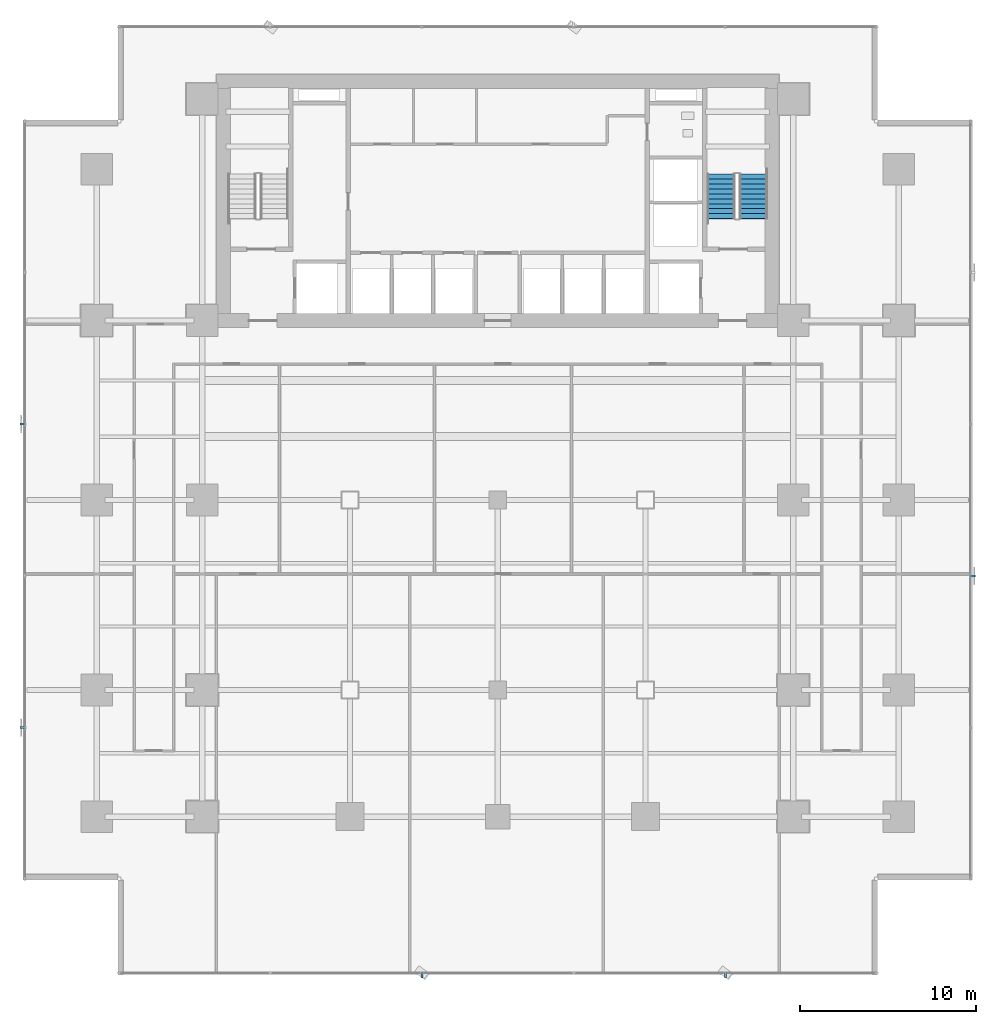
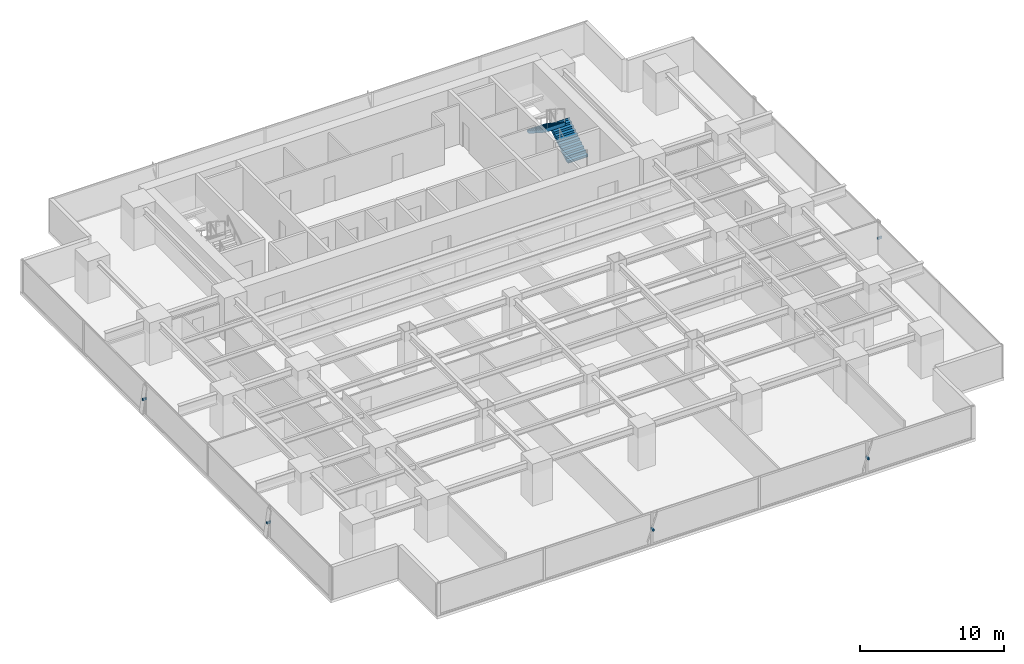
# One storey, part 27 of 33: 5 discrete accessories, 2 stair flights, 1 element without a shape of its own.
"""IFC4 building model written with IfcOpenShell, lengths in metres."""

from ifc_helpers import new_model, si_unit, direction, frame, origin, origin_2d, place, context, subcontext, project, spatial, polyline, rectangle, outline, extrude, source, transform, mapped, material, material_profile, profile_set, type_object, element, aggregate, save


model = new_model("IFC4")

# Units and contexts
model_context = context("Model", 3, precision=1e-05, world=origin(), true_north=direction((0.0, 1.0)))
body_context = subcontext(model_context, "Body", "Model", "MODEL_VIEW")
ifc_project = project(units=[si_unit("LENGTHUNIT", "METRE"), si_unit("AREAUNIT", "SQUARE_METRE"), si_unit("VOLUMEUNIT", "CUBIC_METRE"), si_unit("PLANEANGLEUNIT", "RADIAN"), si_unit("MASSUNIT", "GRAM", prefix="KILO")], contexts=[model_context])

# Site, building, storey
site_placement = place(None, origin())
site = spatial("IfcSite", under=ifc_project, at=site_placement, CompositionType="ELEMENT")
building_placement = place(site_placement, origin())
building = spatial("IfcBuilding", under=site, at=building_placement, Name="Sumidabori Civic Tower", CompositionType="ELEMENT")
storey_placement = place(building_placement, frame((0.0, 0.0, 27.199951171875)))
storey = spatial("IfcBuildingStorey", under=building, at=storey_placement, Name="L06", CompositionType="ELEMENT", Elevation=27.199951171875)

# Stair, stair flights
ifc_material_1 = material(Name="Concrete C40/50", Category="concrete")
stair_type = type_object("IfcStairType", Name="ST-CORE-1600", PredefinedType="HALF_TURN_STAIR", material=ifc_material_1)
stair_placement = place(storey_placement, origin())
stair = element("IfcStair", 1, at=stair_placement, inside=storey, type_object=stair_type, Name="L06 ST-2", PredefinedType="HALF_TURN_STAIR")
stair_flight_type = type_object("IfcStairFlightType", Name="SF-CORE-1600", PredefinedType="STRAIGHT", material=ifc_material_1)
shared_shape_1 = source(origin(), body_context, "Body", "SweptSolid", [
    extrude(outline(polyline([(-0.02490234375, 0.0), (-0.02490234375, 0.0400390625), (0.0, 0.0400390625), (0.0, 0.179931640625), (0.280029296875, 0.179931640625), (0.280029296875, 0.360107421875), (0.56005859375, 0.360107421875), (0.56005859375, 0.5400390625), (0.840087890625, 0.5400390625), (0.840087890625, 0.719970703125), (1.1201171875, 0.719970703125), (1.1201171875, 0.89990234375), (1.39990234375, 0.89990234375), (1.39990234375, 1.080078125), (1.679931640625, 1.080078125), (1.679931640625, 1.260009765625), (1.9599609375, 1.260009765625), (1.9599609375, 1.43994140625), (2.239990234375, 1.43994140625), (2.239990234375, 1.6201171875), (2.52001953125, 1.6201171875), (2.52001953125, 1.800048828125), (2.544921875, 1.800048828125), (2.544921875, 1.650146484375), (2.52001953125, 1.44189453125), (0.277099609375, 0.0), (-0.02490234375, 0.0)])), frame((0.0, 0.800048828125, 0.0), z_axis=(0.0, -1.0, 0.0), x_axis=(1.0, 0.0, 0.0)), (0.0, 0.0, 1.0), 1.60009765625),
])
stair_flight_1_placement = place(storey_placement, frame((14.5400390625, 16.0, 0.0), z_axis=(0.0, 0.0, 1.0), x_axis=(0.0, 1.0, 0.0)))
stair_flight_1 = element("IfcStairFlight", 2, at=stair_flight_1_placement, type_object=stair_flight_type, Name="ST-2 flight 1", NumberOfRisers=10, NumberOfTreads=9, PredefinedType="STRAIGHT", RiserHeight=0.18, TreadLength=0.28, context=body_context, shape_type="MappedRepresentation", body=[
    mapped(shared_shape_1, transform((0.0, 0.0, 0.0), x_axis=(1.0, 0.0, 0.0), y_axis=(0.0, 1.0, 0.0), z_axis=(0.0, 0.0, 1.0), scale=1.0)),
])
stair_flight_2_placement = place(storey_placement, frame((12.699951171875, 18.52001953125, 1.800048828125), z_axis=(0.0, 0.0, 1.0), x_axis=(0.0, -1.0, 0.0)))
stair_flight_2 = element("IfcStairFlight", 3, at=stair_flight_2_placement, type_object=stair_flight_type, Name="ST-2 flight 2", NumberOfRisers=10, NumberOfTreads=9, PredefinedType="STRAIGHT", RiserHeight=0.18, TreadLength=0.28, context=body_context, shape_type="MappedRepresentation", body=[
    mapped(shared_shape_1, transform((0.0, 0.0, 0.0), x_axis=(1.0, 0.0, 0.0), y_axis=(0.0, 1.0, 0.0), z_axis=(0.0, 0.0, 1.0), scale=1.0)),
])
aggregate(stair, [stair_flight_1, stair_flight_2])

# Discrete accessories
ifc_material_2 = material(Name="Stainless Steel Hairline Finish", Category="steel")
ifc_material_profile = material_profile(ifc_material_2, rectangle(XDim=0.1201171875, YDim=0.179931640625, at=origin_2d()), Name="STEEL BRACKET 180x120")
ifc_profile_set = profile_set([ifc_material_profile], Name="Stainless Steel Hairline Finish")
discrete_accessory_type = type_object("IfcDiscreteAccessoryType", Name="AC-BRK-180", PredefinedType="BRACKET", material=ifc_profile_set)
shared_shape_2 = source(origin(), body_context, "Body", "SweptSolid", [
    extrude(rectangle(XDim=0.1201171875, YDim=0.179931640625, at=origin_2d()), origin(), (0.0, 0.0, 1.0), 0.329833984375),
])
for number, where, z_axis, x_axis, name in (
    (4, (-4.31396484375, -26.830078125, 1.360107421875), (0.0, -1.0, 0.0), (1.0, 0.0, 0.0), "Bronze Fin Fixing Bracket L06-02"),
    (5, (12.94189453125, -26.830078125, 1.360107421875), (0.0, -1.0, 0.0), (1.0, 0.0, 0.0), "Bronze Fin Fixing Bracket L06-04"),
    (6, (26.830078125, -4.31396484375, 1.360107421875), (1.0, 0.0, 0.0), (0.0, 1.0, 0.0), "Bronze Fin Fixing Bracket L06-02"),
    (7, (-26.830078125, 4.31396484375, 1.360107421875), (-1.0, 0.0, 0.0), (0.0, -1.0, 0.0), "Bronze Fin Fixing Bracket L06-02"),
    (8, (-26.830078125, -12.94189453125, 1.360107421875), (-1.0, 0.0, 0.0), (0.0, -1.0, 0.0), "Bronze Fin Fixing Bracket L06-04"),
):
    element("IfcDiscreteAccessory", number, at=place(storey_placement, frame(where, z_axis=z_axis, x_axis=x_axis)), inside=storey, type_object=discrete_accessory_type, Name=name, PredefinedType="BRACKET", context=body_context, shape_type="MappedRepresentation", body=[
        mapped(shared_shape_2, transform((0.0, 0.0, 0.0), x_axis=(1.0, 0.0, 0.0), y_axis=(0.0, 1.0, 0.0), z_axis=(0.0, 0.0, 1.0), scale=1.0)),
    ])

save(model, "model.ifc")
